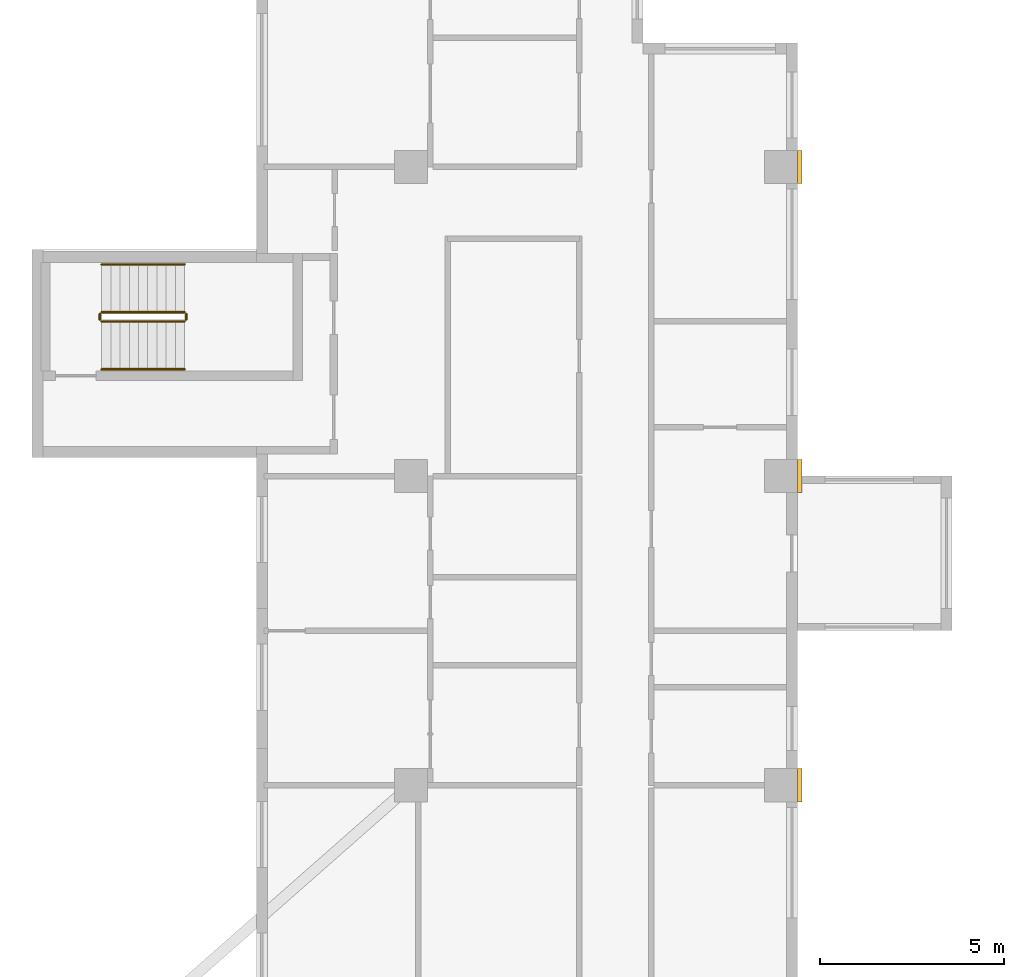
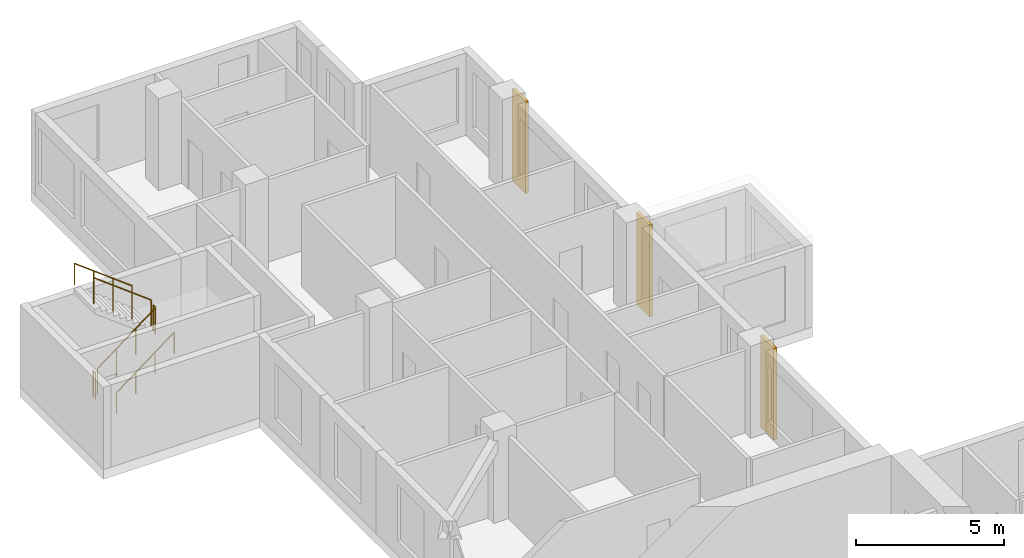
# One storey, part 12 of 12: 6 railings, 3 coverings.
"""IFC4 building model written with IfcOpenShell, lengths in metres."""

from ifc_helpers import new_model, si_unit, direction, frame, origin, origin_2d, place, context, subcontext, project, spatial, rectangle, circle, extrude, source, transform, mapped, material, type_object, element, save


model = new_model("IFC4")

# Units and contexts
model_context = context("Model", 3, precision=1e-05, world=origin(), true_north=direction((0.0, 1.0)))
body_context = subcontext(model_context, "Body", "Model", "MODEL_VIEW")
ifc_project = project(units=[si_unit("LENGTHUNIT", "METRE"), si_unit("AREAUNIT", "SQUARE_METRE"), si_unit("VOLUMEUNIT", "CUBIC_METRE"), si_unit("PLANEANGLEUNIT", "RADIAN"), si_unit("MASSUNIT", "GRAM", prefix="KILO")], contexts=[model_context])

# Site, building, storey
site_placement = place(None, origin())
site = spatial("IfcSite", under=ifc_project, at=site_placement, CompositionType="ELEMENT")
building_placement = place(site_placement, origin())
building = spatial("IfcBuilding", under=site, at=building_placement, Name="Aurelian Terraces", CompositionType="ELEMENT")
storey_placement = place(building_placement, frame((0.0, 0.0, 181.6)))
storey = spatial("IfcBuildingStorey", under=building, at=storey_placement, Name="L39", CompositionType="ELEMENT", Elevation=181.6)

# Coverings
ifc_material_1 = material(Name="Terracotta rainscreen cladding relief", Category="masonry")
covering_type = type_object("IfcCoveringType", Name="BAGUETTE-TC", PredefinedType="CLADDING", material=ifc_material_1)
shared_shape_1 = source(origin(), body_context, "Body", "SweptSolid", [
    extrude(rectangle(XDim=0.12, YDim=0.9, at=origin_2d()), origin(), (0.0, 0.0, 1.0), 3.8),
])
for number, where, z_axis, x_axis, name in (
    (1, (21.06, 29.4, -0.4), (0.0, 0.0, 1.0), (1.0, 0.0, 0.0), "BAGUETTE pier L39 7"),
    (2, (21.06, 37.8, -0.4), (0.0, 0.0, 1.0), (1.0, 0.0, 0.0), "BAGUETTE pier L39 8"),
    (3, (21.06, 46.2, -0.4), (0.0, 0.0, 1.0), (1.0, 0.0, 0.0), "BAGUETTE pier L39 9"),
):
    element("IfcCovering", number, at=place(storey_placement, frame(where, z_axis=z_axis, x_axis=x_axis)), inside=storey, type_object=covering_type, Name=name, PredefinedType="CLADDING", context=body_context, shape_type="MappedRepresentation", body=[
        mapped(shared_shape_1, transform((0.0, 0.0, 0.0), scale=1.0)),
    ])

# Railings
ifc_material_2 = material(Name="Stainless steel", Category="steel")
railing_type_1 = type_object("IfcRailingType", Name="Stair guard 1100", PredefinedType="GUARDRAIL", material=ifc_material_2)
shared_shape_2 = source(origin(), body_context, "Body", "SweptSolid", [
    extrude(circle(Radius=0.024, at=origin_2d()), frame((0.0, 0.0, 1.076), z_axis=(0.0, 1.0, 0.0), x_axis=(-1.0, 0.0, 0.0)), (0.0, 0.0, 1.0), 0.15),
    extrude(circle(Radius=0.021, at=origin_2d()), origin(), (0.0, 0.0, 1.0), 1.052),
    extrude(circle(Radius=0.021, at=origin_2d()), frame((0.0, 0.15, 0.0)), (0.0, 0.0, 1.0), 1.052),
])
for number, where, name in (
    (4, (4.4, 42.05, 1.9), "L39 S3 stair guard 2"),
    (5, (2.05, 42.05, 0.0), "L39 S3 stair guard 4"),
):
    element("IfcRailing", number, at=place(storey_placement, frame(where)), inside=storey, type_object=railing_type_1, Name=name, PredefinedType="GUARDRAIL", context=body_context, shape_type="MappedRepresentation", body=[
        mapped(shared_shape_2, transform((0.0, 0.0, 0.0), scale=1.0)),
    ])
shared_shape_3 = source(origin(), body_context, "Body", "SweptSolid", [
    extrude(circle(Radius=0.024, at=origin_2d()), frame((0.0, 0.0, 1.076), z_axis=(0.796162194123, 0.0, 0.605083267534), x_axis=(0.0, 1.0, 0.0)), (0.0, 0.0, 1.0), 2.8261),
    extrude(circle(Radius=0.021, at=origin_2d()), origin(), (0.0, 0.0, 1.0), 1.052),
    extrude(circle(Radius=0.021, at=origin_2d()), frame((0.75, 0.0, 0.57)), (0.0, 0.0, 1.0), 1.052),
    extrude(circle(Radius=0.021, at=origin_2d()), frame((1.5, 0.0, 1.14)), (0.0, 0.0, 1.0), 1.052),
    extrude(circle(Radius=0.021, at=origin_2d()), frame((2.25, 0.0, 1.71)), (0.0, 0.0, 1.0), 1.052),
])
railing_1_placement = place(storey_placement, frame((2.1, 42.0, 0.19)))
element("IfcRailing", 6, at=railing_1_placement, inside=storey, type_object=railing_type_1, Name="L39 S3 stair guard 1", PredefinedType="GUARDRAIL", context=body_context, shape_type="MappedRepresentation", body=[
    mapped(shared_shape_3, transform((0.0, 0.0, 0.0), scale=1.0)),
])
shared_shape_4 = source(origin(), body_context, "Body", "SweptSolid", [
    extrude(circle(Radius=0.024, at=origin_2d()), frame((0.0, 0.0, 1.076), z_axis=(-0.796162194123, 0.0, 0.605083267534), x_axis=(0.0, -1.0, 0.0)), (0.0, 0.0, 1.0), 2.8261),
    extrude(circle(Radius=0.021, at=origin_2d()), origin(), (0.0, 0.0, 1.0), 1.052),
    extrude(circle(Radius=0.021, at=origin_2d()), frame((-0.75, 0.0, 0.57)), (0.0, 0.0, 1.0), 1.052),
    extrude(circle(Radius=0.021, at=origin_2d()), frame((-1.5, 0.0, 1.14)), (0.0, 0.0, 1.0), 1.052),
    extrude(circle(Radius=0.021, at=origin_2d()), frame((-2.25, 0.0, 1.71)), (0.0, 0.0, 1.0), 1.052),
])
railing_2_placement = place(storey_placement, frame((4.35, 42.25, 2.09)))
element("IfcRailing", 7, at=railing_2_placement, inside=storey, type_object=railing_type_1, Name="L39 S3 stair guard 3", PredefinedType="GUARDRAIL", context=body_context, shape_type="MappedRepresentation", body=[
    mapped(shared_shape_4, transform((0.0, 0.0, 0.0), scale=1.0)),
])
railing_type_2 = type_object("IfcRailingType", Name="Stair handrail", PredefinedType="HANDRAIL", material=ifc_material_2)
shared_shape_5 = source(origin(), body_context, "Body", "SweptSolid", [
    extrude(circle(Radius=0.024, at=origin_2d()), frame((0.0, 0.0, 0.876), z_axis=(0.796162194123, 0.0, 0.605083267534), x_axis=(0.0, 1.0, 0.0)), (0.0, 0.0, 1.0), 2.8261),
    extrude(circle(Radius=0.021, at=origin_2d()), origin(), (0.0, 0.0, 1.0), 0.852),
    extrude(circle(Radius=0.021, at=origin_2d()), frame((0.75, 0.0, 0.57)), (0.0, 0.0, 1.0), 0.852),
    extrude(circle(Radius=0.021, at=origin_2d()), frame((1.5, 0.0, 1.14)), (0.0, 0.0, 1.0), 0.852),
    extrude(circle(Radius=0.021, at=origin_2d()), frame((2.25, 0.0, 1.71)), (0.0, 0.0, 1.0), 0.852),
])
railing_3_placement = place(storey_placement, frame((2.1, 40.7, 0.19)))
element("IfcRailing", 8, at=railing_3_placement, inside=storey, type_object=railing_type_2, Name="L39 S3 stair handrail 1", PredefinedType="HANDRAIL", context=body_context, shape_type="MappedRepresentation", body=[
    mapped(shared_shape_5, transform((0.0, 0.0, 0.0), scale=1.0)),
])
shared_shape_6 = source(origin(), body_context, "Body", "SweptSolid", [
    extrude(circle(Radius=0.024, at=origin_2d()), frame((0.0, 0.0, 0.876), z_axis=(-0.796162194123, 0.0, 0.605083267534), x_axis=(0.0, -1.0, 0.0)), (0.0, 0.0, 1.0), 2.8261),
    extrude(circle(Radius=0.021, at=origin_2d()), origin(), (0.0, 0.0, 1.0), 0.852),
    extrude(circle(Radius=0.021, at=origin_2d()), frame((-0.75, 0.0, 0.57)), (0.0, 0.0, 1.0), 0.852),
    extrude(circle(Radius=0.021, at=origin_2d()), frame((-1.5, 0.0, 1.14)), (0.0, 0.0, 1.0), 0.852),
    extrude(circle(Radius=0.021, at=origin_2d()), frame((-2.25, 0.0, 1.71)), (0.0, 0.0, 1.0), 0.852),
])
railing_4_placement = place(storey_placement, frame((4.35, 43.55, 2.09)))
element("IfcRailing", 9, at=railing_4_placement, inside=storey, type_object=railing_type_2, Name="L39 S3 stair handrail 2", PredefinedType="HANDRAIL", context=body_context, shape_type="MappedRepresentation", body=[
    mapped(shared_shape_6, transform((0.0, 0.0, 0.0), scale=1.0)),
])

save(model, "model.ifc")
